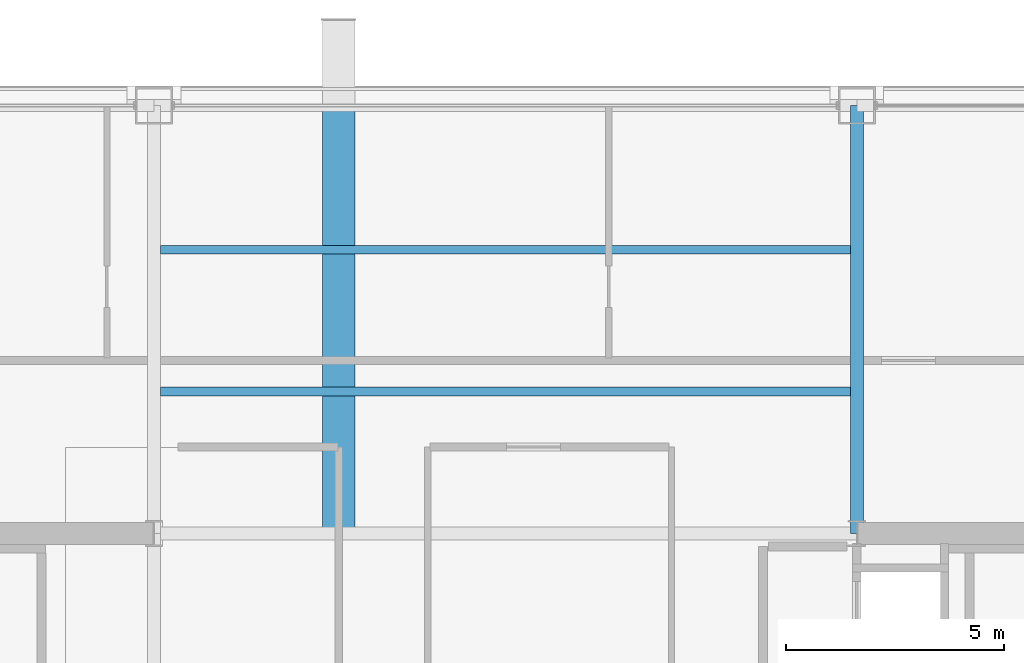
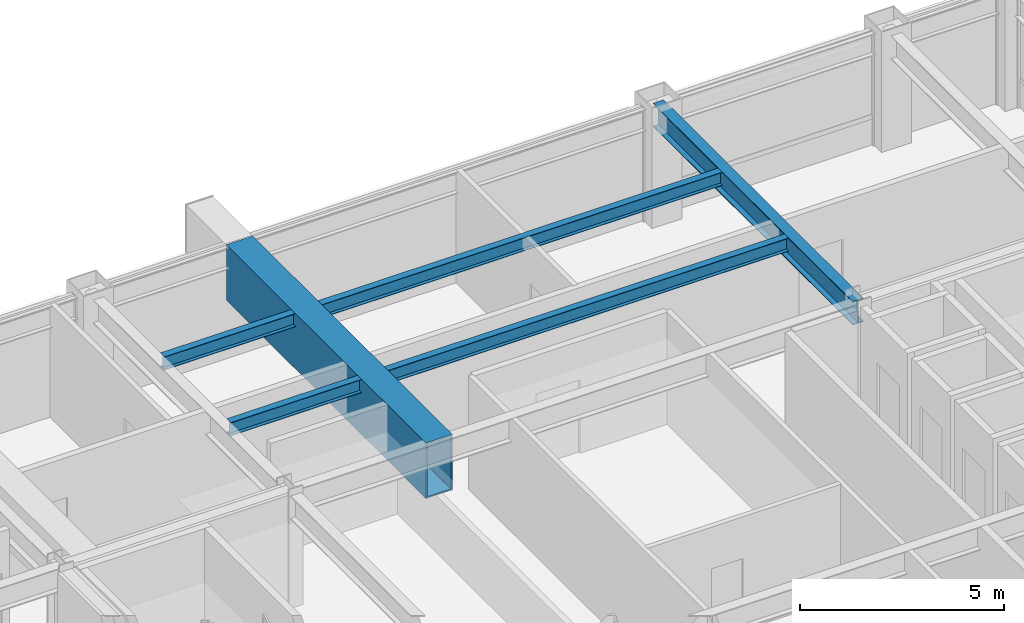
# One storey, part 23 of 34: 4 beams.
"""IFC4 building model written with IfcOpenShell, lengths in metres."""

from ifc_helpers import new_model, si_unit, direction, frame, origin, origin_2d, place, context, subcontext, project, spatial, hollow_rectangle, i_section, extrude, material, material_profile, profile_set, type_object, element, save


model = new_model("IFC4")

# Units and contexts
model_context = context("Model", 3, precision=1e-05, world=origin(), true_north=direction((0.0, 1.0)))
body_context = subcontext(model_context, "Body", "Model", "MODEL_VIEW")
ifc_project = project(units=[si_unit("LENGTHUNIT", "METRE"), si_unit("AREAUNIT", "SQUARE_METRE"), si_unit("VOLUMEUNIT", "CUBIC_METRE"), si_unit("PLANEANGLEUNIT", "RADIAN"), si_unit("MASSUNIT", "GRAM", prefix="KILO")], contexts=[model_context])

# Site, building, storey
site_placement = place(None, origin())
site = spatial("IfcSite", under=ifc_project, at=site_placement, CompositionType="ELEMENT")
building_placement = place(site_placement, origin())
building = spatial("IfcBuilding", under=site, at=building_placement, Name="Brelmoor Portico Tower", CompositionType="ELEMENT")
storey_placement = place(building_placement, frame((0.0, 0.0, 117.0)))
storey = spatial("IfcBuildingStorey", under=building, at=storey_placement, Name="L30", CompositionType="ELEMENT", Elevation=117.0)

# Beams
ifc_material = material(Name="Steel Q355B", Category="steel")
ifc_material_profile_1 = material_profile(ifc_material, i_section(OverallWidth=0.199951171875, OverallDepth=0.39990234375, WebThickness=0.008056640625, FlangeThickness=0.012939453125, at=origin_2d()), Name="HN 400x200x8x13")
ifc_profile_set_1 = profile_set([ifc_material_profile_1], Name="Steel Q355B")
beam_type_1 = type_object("IfcBeamType", Name="BM-JS-400", PredefinedType="JOIST", material=ifc_profile_set_1)
for number, where, z_axis, x_axis, name in (
    (1, (-7.89990234375, 13.0, 3.199951171875), (1.0, 0.0, 0.0), (0.0, 1.0, 0.0), "L30 Secondary Composite Joist JS-C03"),
    (2, (-7.89990234375, 16.25, 3.199951171875), (1.0, 0.0, 0.0), (0.0, 1.0, 0.0), "L30 Secondary Composite Joist JS-C04"),
):
    element("IfcBeam", number, at=place(storey_placement, frame(where, z_axis=z_axis, x_axis=x_axis)), inside=storey, type_object=beam_type_1, Name=name, PredefinedType="JOIST", context=body_context, shape_type="SweptSolid", body=[
        extrude(i_section(OverallWidth=0.199951171875, OverallDepth=0.39990234375, WebThickness=0.008056640625, FlangeThickness=0.012939453125, at=origin_2d()), origin(), (0.0, 0.0, 1.0), 15.7998046875),
    ])
ifc_material_profile_2 = material_profile(ifc_material, i_section(OverallWidth=0.300048828125, OverallDepth=0.699951171875, WebThickness=0.012939453125, FlangeThickness=0.02392578125, at=origin_2d()), Name="HN 700x300x13x24")
ifc_profile_set_2 = profile_set([ifc_material_profile_2], Name="Steel Q355B")
beam_type_2 = type_object("IfcBeamType", Name="BM-PG-700", PredefinedType="BEAM", material=ifc_profile_set_2)
beam_1_placement = place(storey_placement, frame((8.050048828125, 9.75, 3.050048828125), z_axis=(0.0, 1.0, 0.0), x_axis=(-1.0, 0.0, 0.0)))
element("IfcBeam", 3, at=beam_1_placement, inside=storey, type_object=beam_type_2, Name="L30 Primary Floor Girder PG-09", PredefinedType="BEAM", context=body_context, shape_type="SweptSolid", body=[
    extrude(i_section(OverallWidth=0.300048828125, OverallDepth=0.699951171875, WebThickness=0.012939453125, FlangeThickness=0.02392578125, at=origin_2d()), origin(), (0.0, 0.0, 1.0), 9.800048828125),
])
ifc_material_profile_3 = material_profile(ifc_material, hollow_rectangle(XDim=0.75, YDim=1.659912109375, WallThickness=0.0419921875, at=origin_2d()), Name="BOX 750x1660x42")
ifc_profile_set_3 = profile_set([ifc_material_profile_3], Name="Steel Q355B")
beam_type_3 = type_object("IfcBeamType", Name="BM-TG-Z2", PredefinedType="BEAM", material=ifc_profile_set_3)
beam_2_placement = place(storey_placement, frame((-3.820068359375, 9.75, 2.570068359375), z_axis=(0.0, 1.0, 0.0), x_axis=(-1.0, 0.0, 0.0)))
element("IfcBeam", 4, at=beam_2_placement, inside=storey, type_object=beam_type_3, Name="L30 Picture-Frame Backspan Transfer Girder PFBS-02", PredefinedType="BEAM", context=body_context, shape_type="SweptSolid", body=[
    extrude(hollow_rectangle(XDim=0.75, YDim=1.659912109375, WallThickness=0.0419921875, at=origin_2d()), origin(), (0.0, 0.0, 1.0), 9.800048828125),
])

save(model, "model.ifc")
